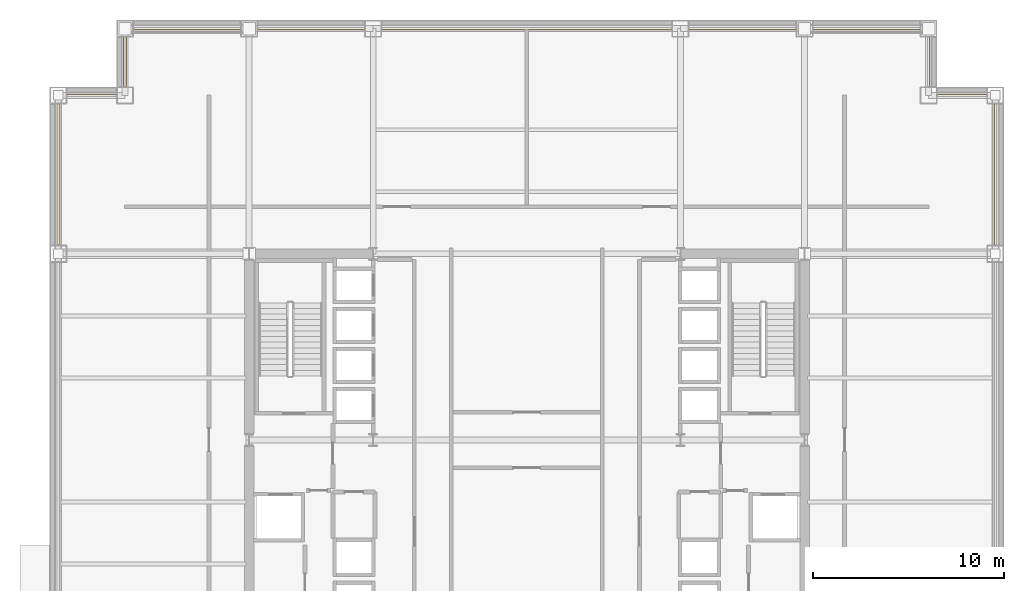
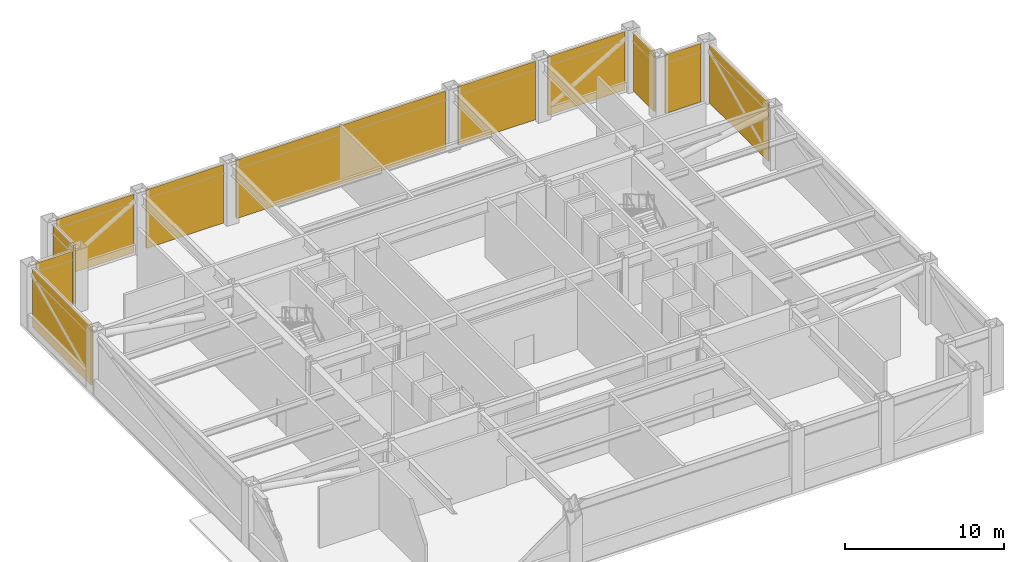
# One storey, part 8 of 8: 11 shading devices.
"""IFC4 building model written with IfcOpenShell, lengths in metres."""

import ifcopenshell
import ifcopenshell.guid

model = None  # the IFC model being written
_history = None  # IfcOwnerHistory: only IFC2X3 demands one
_inside = {}  # id of a spatial element -> (the spatial element, [elements in it])
_under = {}  # id of a project, library or spatial element -> (it, [spatial elements below it])
_declared = {}  # id of a project -> (the project, [libraries it declares])
_typed = {}  # id of a type object -> (the type object, [elements of that type])
_made_of = {}  # id of a material, layer set ... -> (it, [elements and type objects made of it])


def new_model(schema):
    """Start an empty IFC model of exactly this schema.

    Asked for "IFC4X3", IfcOpenShell would pick the latest addendum, in which some entities
    have other attributes; the version numbers below select the first issue.
    IFC2X3 requires an IfcOwnerHistory on every rooted entity: one is made here for all.
    """
    global model, _history
    if schema == "IFC4X3":
        model = ifcopenshell.file(schema_version=(4, 3, 0, 0))
    else:
        model = ifcopenshell.file(schema=schema)
    _inside.clear()
    _under.clear()
    _declared.clear()
    _typed.clear()
    _made_of.clear()
    _history = None
    if model.schema == "IFC2X3":
        org = make("IfcOrganization", Name="unknown")
        user = make(
            "IfcPersonAndOrganization",
            ThePerson=make("IfcPerson", FamilyName="unknown"),
            TheOrganization=org,
        )
        app = make(
            "IfcApplication",
            ApplicationDeveloper=org,
            Version="unknown",
            ApplicationFullName="unknown",
            ApplicationIdentifier="unknown",
        )
        _history = make(
            "IfcOwnerHistory",
            OwningUser=user,
            OwningApplication=app,
            ChangeAction="ADDED",
            CreationDate=0,
        )
    return model


def make(cls, **values):
    """One entity of the class cls with the attributes given. An attribute that is None is left unset."""
    return model.create_entity(
        cls, **{name: value for name, value in values.items() if value is not None}
    )


def rooted(cls, **values):
    """An entity with a GlobalId (a new one), such as an element, a storey or a relation."""
    return make(cls, GlobalId=ifcopenshell.guid.new(), OwnerHistory=_history, **values)


def si_unit(unit_type, name, prefix=None):
    """IfcSIUnit, for example si_unit("LENGTHUNIT", "METRE", prefix="MILLI")."""
    return make("IfcSIUnit", UnitType=unit_type, Prefix=prefix, Name=name)


def assignment(units):
    """IfcUnitAssignment: the units of a project."""
    return None if units is None else make("IfcUnitAssignment", Units=units)


def point(xyz):
    """IfcCartesianPoint."""
    return None if xyz is None else make("IfcCartesianPoint", Coordinates=xyz)


def direction(xyz):
    """IfcDirection."""
    return None if xyz is None else make("IfcDirection", DirectionRatios=xyz)


def frame(location, z_axis=None, x_axis=None):
    """IfcAxis2Placement3D, a coordinate frame: its origin and axes. An axis left out is left unset."""
    return make(
        "IfcAxis2Placement3D",
        Location=point(location),
        Axis=direction(z_axis),
        RefDirection=direction(x_axis),
    )


def frame_2d(location, x_axis=None):
    """IfcAxis2Placement2D, a coordinate frame in the plane: its origin and x axis."""
    return make(
        "IfcAxis2Placement2D", Location=point(location), RefDirection=direction(x_axis)
    )


def origin():
    """The frame at (0, 0, 0) with its axes left unset."""
    return frame((0.0, 0.0, 0.0))


def origin_2d():
    """The frame at (0, 0) in the plane with its x axis left unset."""
    return frame_2d((0.0, 0.0))


def place(relative_to, where):
    """IfcLocalPlacement: puts the frame where relative to a parent placement (None: the world)."""
    return make(
        "IfcLocalPlacement", PlacementRelTo=relative_to, RelativePlacement=where
    )


def context(
    kind, dimensions, precision=None, world=None, true_north=None, identifier=None
):
    """IfcGeometricRepresentationContext, for example the 3D "Model" context."""
    return make(
        "IfcGeometricRepresentationContext",
        ContextIdentifier=identifier,
        ContextType=kind,
        CoordinateSpaceDimension=dimensions,
        Precision=precision,
        WorldCoordinateSystem=world,
        TrueNorth=true_north,
    )


def subcontext(parent, identifier, kind, view, scale=None):
    """IfcGeometricRepresentationSubContext, for example "Body" below "Model"."""
    return make(
        "IfcGeometricRepresentationSubContext",
        ContextIdentifier=identifier,
        ContextType=kind,
        ParentContext=parent,
        TargetScale=scale,
        TargetView=view,
    )


def project(units=None, contexts=None):
    """IfcProject with its units and contexts."""
    return rooted(
        "IfcProject",
        Name="project",
        RepresentationContexts=contexts,
        UnitsInContext=assignment(units),
    )


def spatial(cls, under=None, at=None, **own):
    """A site, building, storey or space (cls), placed at a placement, below another one or the project."""
    s = rooted(cls, ObjectPlacement=at, **own)
    if under is not None:
        _under.setdefault(under.id(), (under, []))[1].append(s)
    return s


def profile(cls, at=None, kind="AREA", **sizes):
    """A parametric profile (cls). Its sizes go by their IFC names, for example OverallWidth=200.0."""
    return make(cls, ProfileType=kind, Position=at, **sizes)


def rectangle(**sizes):
    """IfcRectangleProfileDef."""
    return profile("IfcRectangleProfileDef", **sizes)


def extrude(swept, where, along, depth):
    """IfcExtrudedAreaSolid: the profile swept, set in the frame where, extruded along a direction by depth."""
    return make(
        "IfcExtrudedAreaSolid",
        SweptArea=swept,
        Position=where,
        ExtrudedDirection=direction(along),
        Depth=depth,
    )


def shape(context_of_items, identifier, shape_type, items):
    """IfcShapeRepresentation: the items that make up one representation, for example the "Body"."""
    return make(
        "IfcShapeRepresentation",
        ContextOfItems=context_of_items,
        RepresentationIdentifier=identifier,
        RepresentationType=shape_type,
        Items=items,
    )


def material(Name=None, Category=None):
    """IfcMaterial."""
    return make("IfcMaterial", Name=Name, Category=Category)


def layer(
    of_material, thickness, ventilated=None, Name=None, Category=None, Priority=None
):
    """IfcMaterialLayer: one layer of a wall or slab, of a material (None: an air gap)."""
    return make(
        "IfcMaterialLayer",
        Material=of_material,
        LayerThickness=thickness,
        IsVentilated=ventilated,
        Name=Name,
        Category=Category,
        Priority=Priority,
    )


def layer_set(layers, Name=None):
    """IfcMaterialLayerSet."""
    return make("IfcMaterialLayerSet", MaterialLayers=layers, LayerSetName=Name)


def made_of(thing, what):
    """Note that an element or type object is made of a material, layer set ...; save() writes the relation."""
    if what is not None:
        _made_of.setdefault(what.id(), (what, []))[1].append(thing)
    return thing


def type_object(cls, material=None, **own):
    """A type object (cls), such as IfcWallType, which elements share."""
    return made_of(rooted(cls, **own), material)


def element(
    cls,
    number,
    at=None,
    inside=None,
    cuts=None,
    type_object=None,
    material=None,
    context=None,
    identifier="Body",
    shape_type=None,
    held_by="IfcProductDefinitionShape",
    body=None,
    shapes=None,
    **own,
):
    """One element of the class cls, such as IfcWall. Its Tag is "e" and its number.

    at: its placement. inside: the storey or other place that contains it. cuts: it is an
    opening in that element (IfcRelVoidsElement). A single representation is given by context,
    identifier, shape_type and body (its items); several are given by shapes. held_by: the class
    of the entity that holds the representations. save() writes the other relations.
    """
    e = rooted(cls, Tag="e%d" % number, ObjectPlacement=at, **own)
    if body is not None:
        shapes = [shape(context, identifier, shape_type, body)]
    if shapes is not None:
        e.Representation = make(held_by, Representations=shapes)
    if inside is not None:
        _inside.setdefault(inside.id(), (inside, []))[1].append(e)
    if cuts is not None:
        rooted(
            "IfcRelVoidsElement", RelatingBuildingElement=cuts, RelatedOpeningElement=e
        )
    if type_object is not None:
        _typed.setdefault(type_object.id(), (type_object, []))[1].append(e)
    return made_of(e, material)


def aggregate(whole, parts):
    """IfcRelAggregates: a whole, such as a stair, and the parts it consists of."""
    return rooted("IfcRelAggregates", RelatingObject=whole, RelatedObjects=parts)


def save(model, path):
    """Write the relations noted so far, then the file.

    IfcRelAggregates (storeys below a building ...), IfcRelContainedInSpatialStructure (elements
    in a storey), IfcRelDefinesByType, IfcRelAssociatesMaterial and IfcRelDeclares: one each for
    every whole, place, type object, material and project.
    """
    for whole, parts in _under.values():
        aggregate(whole, parts)
    for where, things in _inside.values():
        rooted(
            "IfcRelContainedInSpatialStructure",
            RelatedElements=things,
            RelatingStructure=where,
        )
    for kind, things in _typed.values():
        rooted("IfcRelDefinesByType", RelatedObjects=things, RelatingType=kind)
    for what, things in _made_of.values():
        rooted("IfcRelAssociatesMaterial", RelatedObjects=things, RelatingMaterial=what)
    for by, libraries in _declared.values():
        rooted("IfcRelDeclares", RelatingContext=by, RelatedDefinitions=libraries)
    model.write(path)


model = new_model("IFC4")

# Units and contexts
model_context = context("Model", 3, precision=1e-05, world=origin(), true_north=direction((0.0, 1.0)))
body_context = subcontext(model_context, "Body", "Model", "MODEL_VIEW")
ifc_project = project(units=[si_unit("LENGTHUNIT", "METRE"), si_unit("AREAUNIT", "SQUARE_METRE"), si_unit("VOLUMEUNIT", "CUBIC_METRE"), si_unit("PLANEANGLEUNIT", "RADIAN"), si_unit("MASSUNIT", "GRAM", prefix="KILO")], contexts=[model_context])

# Site, building, storey
site_placement = place(None, origin())
site = spatial("IfcSite", under=ifc_project, at=site_placement, CompositionType="ELEMENT")
building_placement = place(site_placement, origin())
building = spatial("IfcBuilding", under=site, at=building_placement, Name="Brelmoor Portico Tower", CompositionType="ELEMENT")
storey_placement = place(building_placement, frame((0.0, 0.0, 78.0)))
storey = spatial("IfcBuildingStorey", under=building, at=storey_placement, Name="L20", CompositionType="ELEMENT", Elevation=78.0)

# Shading devices
ifc_material = material(Name="Extruded Aluminium Acoustic Weather Louvre", Category="aluminium")
ifc_layer = layer(ifc_material, 0.139892578125)
ifc_layer_set = layer_set([ifc_layer], Name="Extruded Aluminium Acoustic Weather Louvre")
shading_device_type = type_object("IfcShadingDeviceType", Name="SD-PLANT-LOUVRE", PredefinedType="USERDEFINED", material=ifc_layer_set)
for number, where, z_axis, x_axis, name in (
    (1, (-17.800048828125, 21.550048828125, 0.06005859375), (0.0, 0.0, 1.0), (1.0, 0.0, 0.0), "L20 Acoustic Plant Louvre N-1"),
    (2, (-11.300048828125, 21.550048828125, 0.06005859375), (0.0, 0.0, 1.0), (1.0, 0.0, 0.0), "L20 Acoustic Plant Louvre N-2"),
):
    element("IfcShadingDevice", number, at=place(storey_placement, frame(where, z_axis=z_axis, x_axis=x_axis)), inside=storey, type_object=shading_device_type, Name=name, ObjectType="LOUVRE", PredefinedType="USERDEFINED", context=body_context, shape_type="SweptSolid", body=[
        extrude(rectangle(XDim=5.580078125, YDim=0.139892578125, at=origin_2d()), origin(), (0.0, 0.0, 1.0), 4.47998046875),
    ])
shading_device_placement = place(storey_placement, frame((0.0, 21.550048828125, 0.06005859375), z_axis=(0.0, 0.0, 1.0), x_axis=(1.0, 0.0, 0.0)))
element("IfcShadingDevice", 3, at=shading_device_placement, inside=storey, type_object=shading_device_type, Name="L20 Acoustic Plant Louvre N-3", ObjectType="LOUVRE", PredefinedType="USERDEFINED", context=body_context, shape_type="SweptSolid", body=[
    extrude(rectangle(XDim=15.179931640625, YDim=0.139892578125, at=origin_2d()), origin(), (0.0, 0.0, 1.0), 4.47998046875),
])
for number, where, z_axis, x_axis, name in (
    (4, (11.300048828125, 21.550048828125, 0.06005859375), (0.0, 0.0, 1.0), (1.0, 0.0, 0.0), "L20 Acoustic Plant Louvre N-4"),
    (5, (17.800048828125, 21.550048828125, 0.06005859375), (0.0, 0.0, 1.0), (1.0, 0.0, 0.0), "L20 Acoustic Plant Louvre N-5"),
):
    element("IfcShadingDevice", number, at=place(storey_placement, frame(where, z_axis=z_axis, x_axis=x_axis)), inside=storey, type_object=shading_device_type, Name=name, ObjectType="LOUVRE", PredefinedType="USERDEFINED", context=body_context, shape_type="SweptSolid", body=[
        extrude(rectangle(XDim=5.580078125, YDim=0.139892578125, at=origin_2d()), origin(), (0.0, 0.0, 1.0), 4.47998046875),
    ])
for number, where, z_axis, x_axis, name in (
    (6, (-24.550048828125, 13.89990234375, 0.06005859375), (0.0, 0.0, 1.0), (0.0, 1.0, 0.0), "L20 Acoustic Plant Louvre W-3"),
    (7, (24.550048828125, 13.89990234375, 0.06005859375), (0.0, 0.0, 1.0), (0.0, 1.0, 0.0), "L20 Acoustic Plant Louvre E-3"),
):
    element("IfcShadingDevice", number, at=place(storey_placement, frame(where, z_axis=z_axis, x_axis=x_axis)), inside=storey, type_object=shading_device_type, Name=name, ObjectType="LOUVRE", PredefinedType="USERDEFINED", context=body_context, shape_type="SweptSolid", body=[
        extrude(rectangle(XDim=7.3798828125, YDim=0.139892578125, at=origin_2d()), origin(), (0.0, 0.0, 1.0), 4.47998046875),
    ])
for number, where, z_axis, x_axis, name in (
    (8, (-21.050048828125, 19.800048828125, 0.06005859375), (0.0, 0.0, 1.0), (0.0, 1.0, 0.0), "L20 Acoustic Plant Louvre NW1-1"),
    (9, (-22.800048828125, 18.050048828125, 0.06005859375), (0.0, 0.0, 1.0), (1.0, 0.0, 0.0), "L20 Acoustic Plant Louvre NW2-1"),
    (10, (21.050048828125, 19.800048828125, 0.06005859375), (0.0, 0.0, 1.0), (0.0, 1.0, 0.0), "L20 Acoustic Plant Louvre NE1-1"),
    (11, (22.800048828125, 18.050048828125, 0.06005859375), (0.0, 0.0, 1.0), (1.0, 0.0, 0.0), "L20 Acoustic Plant Louvre NE2-1"),
):
    element("IfcShadingDevice", number, at=place(storey_placement, frame(where, z_axis=z_axis, x_axis=x_axis)), inside=storey, type_object=shading_device_type, Name=name, ObjectType="LOUVRE", PredefinedType="USERDEFINED", context=body_context, shape_type="SweptSolid", body=[
        extrude(rectangle(XDim=2.580078125, YDim=0.139892578125, at=origin_2d()), origin(), (0.0, 0.0, 1.0), 4.47998046875),
    ])

save(model, "model.ifc")
